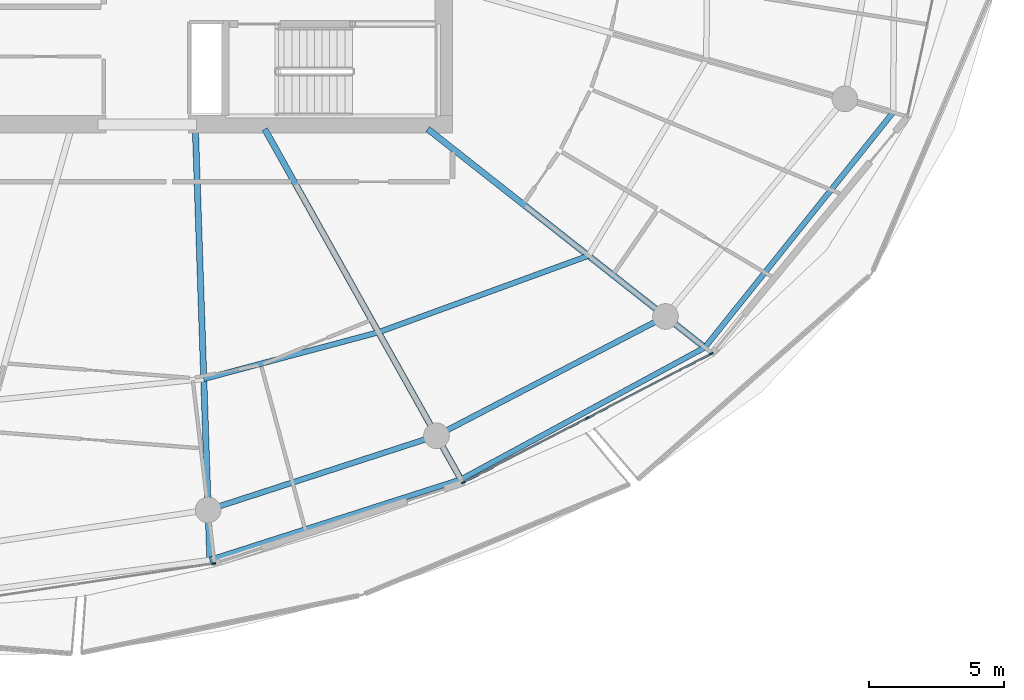
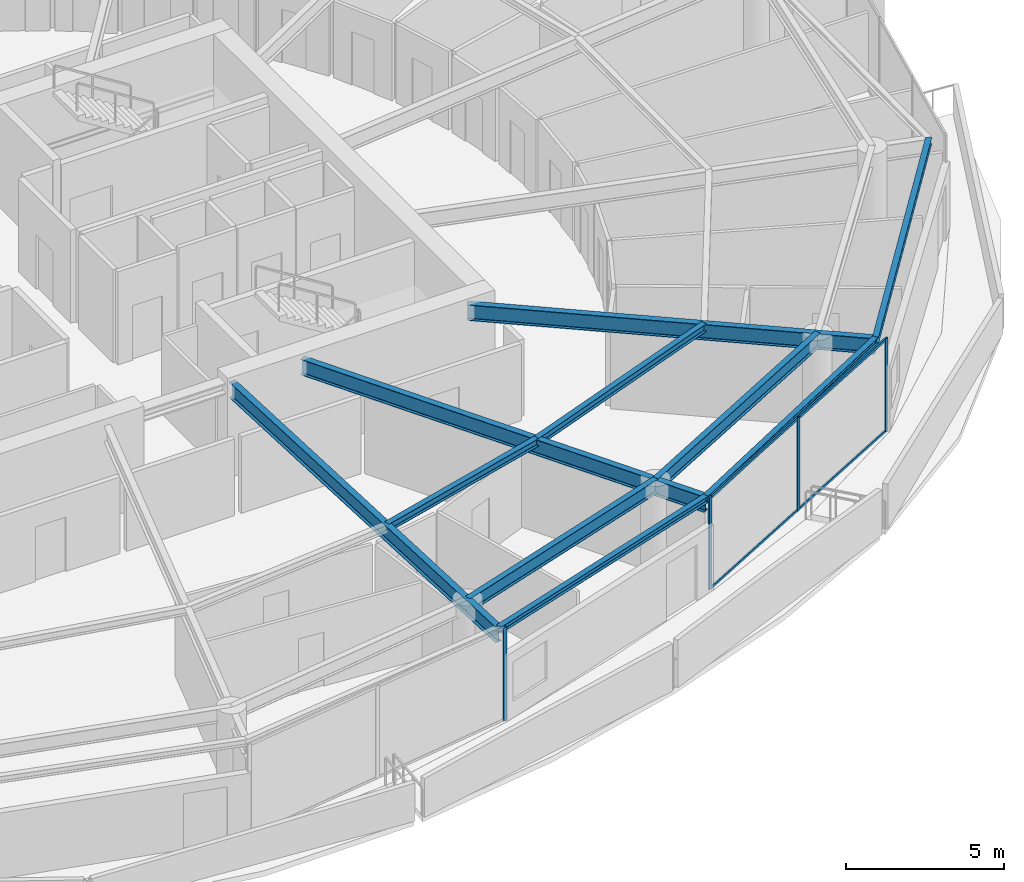
# One storey, part 9 of 31: 10 beams, 8 members, 2 elements without a shape of their own.
"""IFC4 building model written with IfcOpenShell, lengths in metres."""

from ifc_helpers import new_model, si_unit, direction, frame, origin, origin_2d, place, context, subcontext, project, spatial, rectangle, i_section, extrude, material, layer, layer_set, material_profile, profile_set, type_object, element, aggregate, save


model = new_model("IFC4")

# Units and contexts
model_context = context("Model", 3, precision=1e-05, world=origin(), true_north=direction((0.0, 1.0)))
body_context = subcontext(model_context, "Body", "Model", "MODEL_VIEW")
ifc_project = project(units=[si_unit("LENGTHUNIT", "METRE"), si_unit("AREAUNIT", "SQUARE_METRE"), si_unit("VOLUMEUNIT", "CUBIC_METRE"), si_unit("PLANEANGLEUNIT", "RADIAN"), si_unit("MASSUNIT", "GRAM", prefix="KILO")], contexts=[model_context])

# Site, building, storey
site_placement = place(None, origin())
site = spatial("IfcSite", under=ifc_project, at=site_placement, CompositionType="ELEMENT")
building_placement = place(site_placement, origin())
building = spatial("IfcBuilding", under=site, at=building_placement, Name="Kazma Halo Residences", CompositionType="ELEMENT")
storey_placement = place(building_placement, frame((0.0, 0.0, 259.800048828125)))
storey = spatial("IfcBuildingStorey", under=building, at=storey_placement, Name="L65", CompositionType="ELEMENT", Elevation=259.800048828125)

# Beams
ifc_material_1 = material(Name="Steel S355", Category="steel")
ifc_material_profile_1 = material_profile(ifc_material_1, i_section(OverallWidth=0.201904296875, OverallDepth=0.2470703125, WebThickness=0.00732421875, FlangeThickness=0.010986328125, FilletRadius=0.011962890625, at=origin_2d()), Name="W250x49.1")
ifc_profile_set_1 = profile_set([ifc_material_profile_1], Name="Steel S355")
beam_type_1 = type_object("IfcBeamType", Name="BM-BAL-CANT", PredefinedType="BEAM", material=ifc_profile_set_1)
beam_1_placement = place(storey_placement, frame((50.7333984375, 17.580078125, 3.466552734375), z_axis=(0.952215866624, 0.305425839362, 0.0), x_axis=(-0.305425839362, 0.952215866624, 0.0)))
element("IfcBeam", 1, at=beam_1_placement, inside=storey, type_object=beam_type_1, Name="L65 wave-balcony tie beam 12", PredefinedType="BEAM", context=body_context, shape_type="SweptSolid", body=[
    extrude(i_section(OverallWidth=0.201904296875, OverallDepth=0.2470703125, WebThickness=0.00732421875, FlangeThickness=0.010986328125, FilletRadius=0.011962890625, at=origin_2d()), origin(), (0.0, 0.0, 1.0), 9.74169921875),
])
beam_2_placement = place(storey_placement, frame((60.009521484375, 20.555419921875, 3.466552734375), z_axis=(0.879517282036, 0.475866946321, 0.0), x_axis=(-0.475866946321, 0.879517282036, 0.0)))
element("IfcBeam", 2, at=beam_2_placement, inside=storey, type_object=beam_type_1, Name="L65 wave-balcony tie beam 13", PredefinedType="BEAM", context=body_context, shape_type="SweptSolid", body=[
    extrude(i_section(OverallWidth=0.201904296875, OverallDepth=0.2470703125, WebThickness=0.00732421875, FlangeThickness=0.010986328125, FilletRadius=0.011962890625, at=origin_2d()), origin(), (0.0, 0.0, 1.0), 10.243408203125),
])
beam_3_placement = place(storey_placement, frame((69.018798828125, 25.429931640625, 3.466552734375), z_axis=(0.625117912406, 0.780530329705, 0.0), x_axis=(-0.780530329705, 0.625117912406, 0.0)))
element("IfcBeam", 3, at=beam_3_placement, inside=storey, type_object=beam_type_1, Name="L65 wave-balcony tie beam 14", PredefinedType="BEAM", context=body_context, shape_type="SweptSolid", body=[
    extrude(i_section(OverallWidth=0.201904296875, OverallDepth=0.2470703125, WebThickness=0.00732421875, FlangeThickness=0.010986328125, FilletRadius=0.011962890625, at=origin_2d()), origin(), (0.0, 0.0, 1.0), 11.1220703125),
])
ifc_material_profile_2 = material_profile(ifc_material_1, i_section(OverallWidth=0.22802734375, OverallDepth=0.60791015625, WebThickness=0.01123046875, FlangeThickness=0.017333984375, FilletRadius=0.01806640625, at=origin_2d()), Name="W610x113")
ifc_profile_set_2 = profile_set([ifc_material_profile_2], Name="Steel S355")
beam_type_2 = type_object("IfcBeamType", Name="BM-RAD-W610", PredefinedType="BEAM", material=ifc_profile_set_2)
beam_4_placement = place(storey_placement, frame((50.199951171875, 33.5, 3.285888671875), z_axis=(0.03348936291, -0.999439073967, 0.0), x_axis=(0.999439073967, 0.03348936291, 0.0)))
element("IfcBeam", 4, at=beam_4_placement, inside=storey, type_object=beam_type_2, Name="L65 radial floor beam 12", PredefinedType="BEAM", context=body_context, shape_type="SweptSolid", body=[
    extrude(i_section(OverallWidth=0.22802734375, OverallDepth=0.60791015625, WebThickness=0.01123046875, FlangeThickness=0.017333984375, FilletRadius=0.01806640625, at=origin_2d()), origin(), (0.0, 0.0, 1.0), 15.928955078125),
])
beam_5_placement = place(storey_placement, frame((52.76025390625, 33.5, 3.285888671875), z_axis=(0.488618902548, -0.872497316943, 0.0), x_axis=(0.872497316943, 0.488618902548, 0.0)))
element("IfcBeam", 5, at=beam_5_placement, inside=storey, type_object=beam_type_2, Name="L65 radial floor beam 13", PredefinedType="BEAM", context=body_context, shape_type="SweptSolid", body=[
    extrude(i_section(OverallWidth=0.22802734375, OverallDepth=0.60791015625, WebThickness=0.01123046875, FlangeThickness=0.017333984375, FilletRadius=0.01806640625, at=origin_2d()), origin(), (0.0, 0.0, 1.0), 14.836181640625),
])
beam_6_placement = place(storey_placement, frame((58.7822265625, 33.5, 3.285888671875), z_axis=(0.785309266897, -0.619103670903, 0.0), x_axis=(0.619103670903, 0.785309266897, 0.0)))
element("IfcBeam", 6, at=beam_6_placement, inside=storey, type_object=beam_type_2, Name="L65 radial floor beam 14", PredefinedType="BEAM", context=body_context, shape_type="SweptSolid", body=[
    extrude(i_section(OverallWidth=0.22802734375, OverallDepth=0.60791015625, WebThickness=0.01123046875, FlangeThickness=0.017333984375, FilletRadius=0.01806640625, at=origin_2d()), origin(), (0.0, 0.0, 1.0), 13.03515625),
])
ifc_material_profile_3 = material_profile(ifc_material_1, i_section(OverallWidth=0.202880859375, OverallDepth=0.302978515625, WebThickness=0.007568359375, FlangeThickness=0.01318359375, FilletRadius=0.013916015625, at=origin_2d()), Name="W310x60")
ifc_profile_set_3 = profile_set([ifc_material_profile_3], Name="Steel S355")
beam_type_3 = type_object("IfcBeamType", Name="BM-SEC-W310A", PredefinedType="JOIST", material=ifc_profile_set_3)
beam_7_placement = place(storey_placement, frame((50.50927734375, 24.2666015625, 3.4384765625), z_axis=(0.966079519115, 0.258244772932, 0.0), x_axis=(-0.258244772932, 0.966079519115, 0.0)))
element("IfcBeam", 7, at=beam_7_placement, inside=storey, type_object=beam_type_3, Name="L65 circumferential floor joist 12", PredefinedType="JOIST", context=body_context, shape_type="SweptSolid", body=[
    extrude(i_section(OverallWidth=0.202880859375, OverallDepth=0.302978515625, WebThickness=0.007568359375, FlangeThickness=0.01318359375, FilletRadius=0.013916015625, at=origin_2d()), origin(), (0.0, 0.0, 1.0), 6.681884765625),
])
beam_8_placement = place(storey_placement, frame((56.964599609375, 25.9921875, 3.4384765625), z_axis=(0.93951330561, 0.342512406465, 0.0), x_axis=(-0.342512406465, 0.93951330561, 0.0)))
element("IfcBeam", 8, at=beam_8_placement, inside=storey, type_object=beam_type_3, Name="L65 circumferential floor joist 13", PredefinedType="JOIST", context=body_context, shape_type="SweptSolid", body=[
    extrude(i_section(OverallWidth=0.202880859375, OverallDepth=0.302978515625, WebThickness=0.007568359375, FlangeThickness=0.01318359375, FilletRadius=0.013916015625, at=origin_2d()), origin(), (0.0, 0.0, 1.0), 8.254150390625),
])
ifc_material_profile_4 = material_profile(ifc_material_1, i_section(OverallWidth=0.208984375, OverallDepth=0.532958984375, WebThickness=0.01025390625, FlangeThickness=0.015625, FilletRadius=0.01611328125, at=origin_2d()), Name="W530x92")
ifc_profile_set_4 = profile_set([ifc_material_profile_4], Name="Steel S355")
beam_type_4 = type_object("IfcBeamType", Name="BM-SPN-W530", PredefinedType="BEAM", material=ifc_profile_set_4)
beam_9_placement = place(storey_placement, frame((50.67138671875, 19.42919921875, 3.323486328125), z_axis=(0.951053893407, 0.309025066679, 0.0), x_axis=(-0.309025066679, 0.951053893407, 0.0)))
element("IfcBeam", 9, at=beam_9_placement, inside=storey, type_object=beam_type_4, Name="L65 perimeter ring beam 12", PredefinedType="BEAM", context=body_context, shape_type="SweptSolid", body=[
    extrude(i_section(OverallWidth=0.208984375, OverallDepth=0.532958984375, WebThickness=0.01025390625, FlangeThickness=0.015625, FilletRadius=0.01611328125, at=origin_2d()), origin(), (0.0, 0.0, 1.0), 8.8681640625),
])
beam_10_placement = place(storey_placement, frame((59.10546875, 22.169677734375, 3.323486328125), z_axis=(0.886961047115, 0.461844238788, 0.0), x_axis=(-0.461844238788, 0.886961047115, 0.0)))
element("IfcBeam", 10, at=beam_10_placement, inside=storey, type_object=beam_type_4, Name="L65 perimeter ring beam 13", PredefinedType="BEAM", context=body_context, shape_type="SweptSolid", body=[
    extrude(i_section(OverallWidth=0.208984375, OverallDepth=0.532958984375, WebThickness=0.01025390625, FlangeThickness=0.015625, FilletRadius=0.01611328125, at=origin_2d()), origin(), (0.0, 0.0, 1.0), 9.5390625),
])

# Curtain wall, member
ifc_material_2 = material(Name="Aluminium AW-6063 T6 and Triple-Silver Low-E Glass", Category="aluminium")
ifc_layer = layer(ifc_material_2, 0.139892578125)
ifc_layer_set = layer_set([ifc_layer], Name="Aluminium AW-6063 T6 and Triple-Silver Low-E Glass")
curtain_wall_type = type_object("IfcCurtainWallType", Name="CW-SYS-5", PredefinedType="NOTDEFINED", material=ifc_layer_set)
curtain_wall_1_placement = place(storey_placement, origin())
curtain_wall_1 = element("IfcCurtainWall", 11, at=curtain_wall_1_placement, inside=storey, type_object=curtain_wall_type, Name="L65 unitised curtain wall B11", PredefinedType="NOTDEFINED")
ifc_material_3 = material(Name="Aluminium AW-6063 T6", Category="aluminium")
ifc_material_profile_5 = material_profile(ifc_material_3, rectangle(XDim=0.06005859375, YDim=0.139892578125, at=origin_2d()), Name="CWM-60x140")
ifc_profile_set_5 = profile_set([ifc_material_profile_5], Name="Aluminium AW-6063 T6")
member_type_1 = type_object("IfcMemberType", Name="CW-SYS-5-MUL", PredefinedType="MULLION", material=ifc_profile_set_5)
member_1_placement = place(storey_placement, frame((50.875732421875, 17.447265625, 0.0), z_axis=(0.0, 0.0, 1.0), x_axis=(-0.148697080374, 0.988882792998, 0.0)))
member_1 = element("IfcMember", 12, at=member_1_placement, type_object=member_type_1, Name="CWS-5 mullion 3", PredefinedType="MULLION", context=body_context, shape_type="SweptSolid", body=[
    extrude(rectangle(XDim=0.06005859375, YDim=0.139892578125, at=origin_2d()), origin(), (0.0, 0.0, 1.0), 3.58984375),
])
aggregate(curtain_wall_1, [member_1])

# Curtain wall, members
curtain_wall_2_placement = place(storey_placement, origin())
curtain_wall_2 = element("IfcCurtainWall", 13, at=curtain_wall_2_placement, inside=storey, type_object=curtain_wall_type, Name="L65 unitised curtain wall B13", PredefinedType="NOTDEFINED")
member_2_placement = place(storey_placement, frame((60.105224609375, 20.446044921875, 0.0), z_axis=(0.0, 0.0, 1.0), x_axis=(-0.460960760804, 0.887420518694, 0.0)))
member_2 = element("IfcMember", 14, at=member_2_placement, type_object=member_type_1, Name="CWS-5 mullion 1", PredefinedType="MULLION", context=body_context, shape_type="SweptSolid", body=[
    extrude(rectangle(XDim=0.06005859375, YDim=0.139892578125, at=origin_2d()), origin(), (0.0, 0.0, 1.0), 3.58984375),
])
member_3_placement = place(storey_placement, frame((64.68408203125, 22.824462890625, 0.0), z_axis=(0.0, 0.0, 1.0), x_axis=(-0.460960760804, 0.887420518694, 0.0)))
member_3 = element("IfcMember", 15, at=member_3_placement, type_object=member_type_1, Name="CWS-5 mullion 2", PredefinedType="MULLION", context=body_context, shape_type="SweptSolid", body=[
    extrude(rectangle(XDim=0.06005859375, YDim=0.139892578125, at=origin_2d()), origin(), (0.0, 0.0, 1.0), 3.58984375),
])
member_4_placement = place(storey_placement, frame((69.262939453125, 25.202880859375, 0.0), z_axis=(0.0, 0.0, 1.0), x_axis=(-0.460960760804, 0.887420518694, 0.0)))
member_4 = element("IfcMember", 16, at=member_4_placement, type_object=member_type_1, Name="CWS-5 mullion 3", PredefinedType="MULLION", context=body_context, shape_type="SweptSolid", body=[
    extrude(rectangle(XDim=0.06005859375, YDim=0.139892578125, at=origin_2d()), origin(), (0.0, 0.0, 1.0), 3.58984375),
])
ifc_material_profile_6 = material_profile(ifc_material_3, rectangle(XDim=0.06005859375, YDim=0.10498046875, at=origin_2d()), Name="CWT-60x105")
ifc_profile_set_6 = profile_set([ifc_material_profile_6], Name="Aluminium AW-6063 T6")
member_type_2 = type_object("IfcMemberType", Name="CW-SYS-5-TRN", PredefinedType="USERDEFINED", material=ifc_profile_set_6)
member_5_placement = place(storey_placement, frame((60.1318359375, 20.4599609375, 0.030029296875), z_axis=(0.887436955863, 0.46092911534, 0.0), x_axis=(-0.46092911534, 0.887436955863, 0.0)))
member_5 = element("IfcMember", 17, at=member_5_placement, type_object=member_type_2, Name="CWS-5 transom 1.1", ObjectType="TRANSOM", PredefinedType="USERDEFINED", context=body_context, shape_type="SweptSolid", body=[
    extrude(rectangle(XDim=0.06005859375, YDim=0.10498046875, at=origin_2d()), origin(), (0.0, 0.0, 1.0), 5.099609375),
])
member_6_placement = place(storey_placement, frame((60.1318359375, 20.4599609375, 3.56005859375), z_axis=(0.887436955863, 0.46092911534, 0.0), x_axis=(-0.46092911534, 0.887436955863, 0.0)))
member_6 = element("IfcMember", 18, at=member_6_placement, type_object=member_type_2, Name="CWS-5 transom 1.2", ObjectType="TRANSOM", PredefinedType="USERDEFINED", context=body_context, shape_type="SweptSolid", body=[
    extrude(rectangle(XDim=0.06005859375, YDim=0.10498046875, at=origin_2d()), origin(), (0.0, 0.0, 1.0), 5.099609375),
])
member_7_placement = place(storey_placement, frame((64.710693359375, 22.83837890625, 0.030029296875), z_axis=(0.887436955863, 0.46092911534, 0.0), x_axis=(-0.46092911534, 0.887436955863, 0.0)))
member_7 = element("IfcMember", 19, at=member_7_placement, type_object=member_type_2, Name="CWS-5 transom 2.1", ObjectType="TRANSOM", PredefinedType="USERDEFINED", context=body_context, shape_type="SweptSolid", body=[
    extrude(rectangle(XDim=0.06005859375, YDim=0.10498046875, at=origin_2d()), origin(), (0.0, 0.0, 1.0), 5.099609375),
])
member_8_placement = place(storey_placement, frame((64.710693359375, 22.83837890625, 3.56005859375), z_axis=(0.887436955863, 0.46092911534, 0.0), x_axis=(-0.46092911534, 0.887436955863, 0.0)))
member_8 = element("IfcMember", 20, at=member_8_placement, type_object=member_type_2, Name="CWS-5 transom 2.2", ObjectType="TRANSOM", PredefinedType="USERDEFINED", context=body_context, shape_type="SweptSolid", body=[
    extrude(rectangle(XDim=0.06005859375, YDim=0.10498046875, at=origin_2d()), origin(), (0.0, 0.0, 1.0), 5.099609375),
])
aggregate(curtain_wall_2, [member_2, member_3, member_4, member_5, member_6, member_7, member_8])

save(model, "model.ifc")
